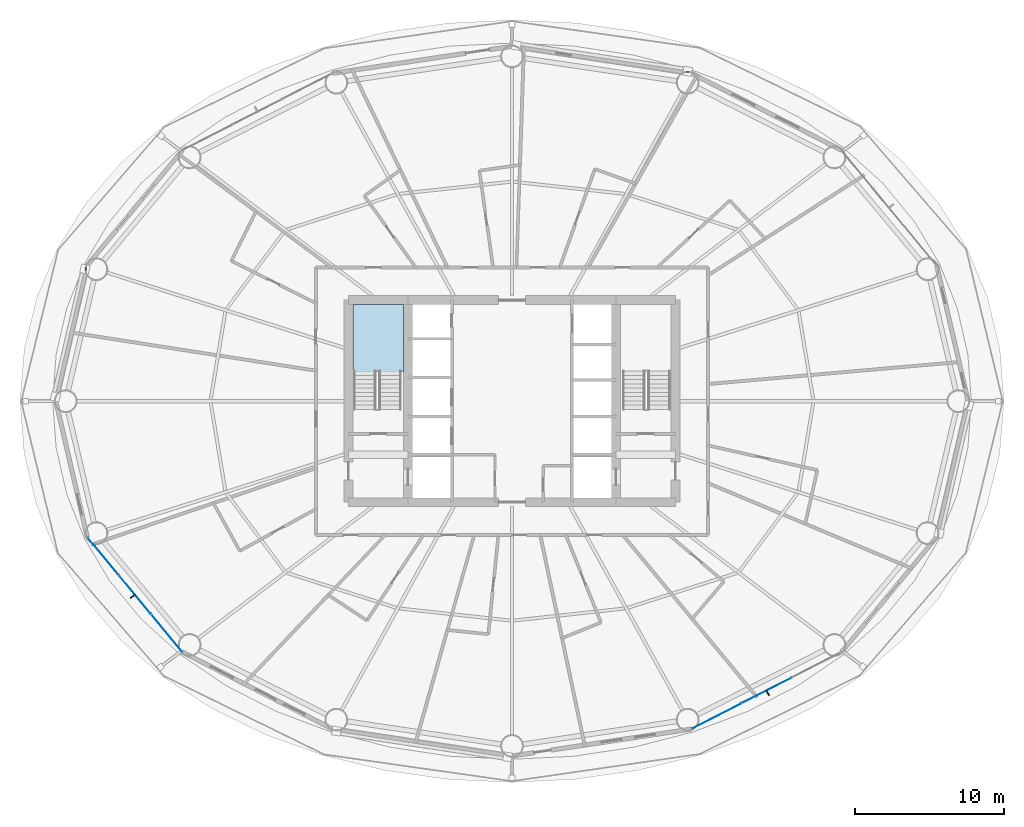
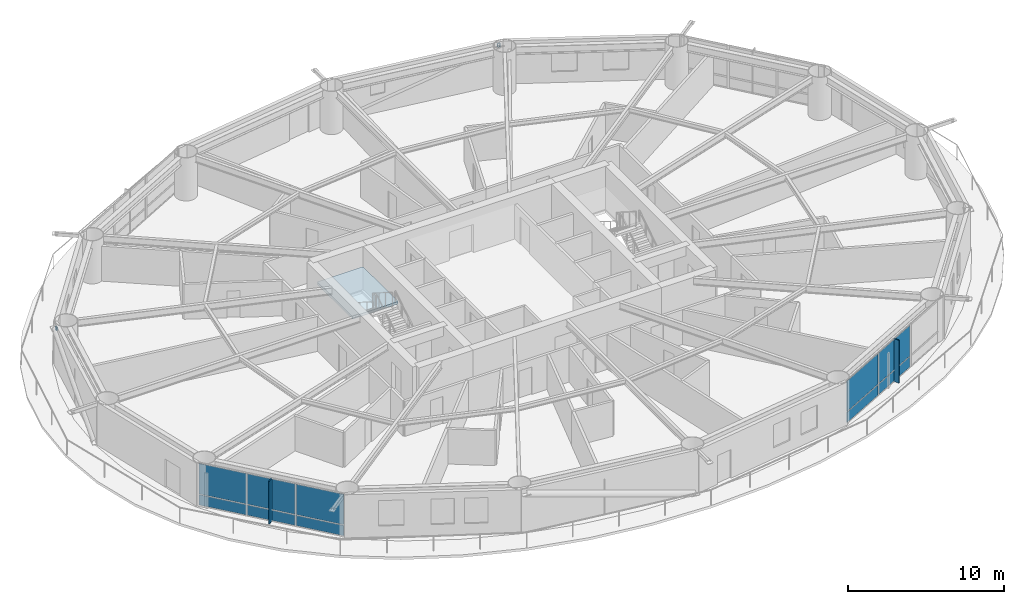
# One storey, part 16 of 26: 12 plates, 2 members, 1 slab, 3 elements without a shape of their own.
"""IFC4 building model written with IfcOpenShell, lengths in metres."""

import ifcopenshell
import ifcopenshell.guid

model = None  # the IFC model being written
_history = None  # IfcOwnerHistory: only IFC2X3 demands one
_inside = {}  # id of a spatial element -> (the spatial element, [elements in it])
_under = {}  # id of a project, library or spatial element -> (it, [spatial elements below it])
_declared = {}  # id of a project -> (the project, [libraries it declares])
_typed = {}  # id of a type object -> (the type object, [elements of that type])
_made_of = {}  # id of a material, layer set ... -> (it, [elements and type objects made of it])


def new_model(schema):
    """Start an empty IFC model of exactly this schema.

    Asked for "IFC4X3", IfcOpenShell would pick the latest addendum, in which some entities
    have other attributes; the version numbers below select the first issue.
    IFC2X3 requires an IfcOwnerHistory on every rooted entity: one is made here for all.
    """
    global model, _history
    if schema == "IFC4X3":
        model = ifcopenshell.file(schema_version=(4, 3, 0, 0))
    else:
        model = ifcopenshell.file(schema=schema)
    _inside.clear()
    _under.clear()
    _declared.clear()
    _typed.clear()
    _made_of.clear()
    _history = None
    if model.schema == "IFC2X3":
        org = make("IfcOrganization", Name="unknown")
        user = make(
            "IfcPersonAndOrganization",
            ThePerson=make("IfcPerson", FamilyName="unknown"),
            TheOrganization=org,
        )
        app = make(
            "IfcApplication",
            ApplicationDeveloper=org,
            Version="unknown",
            ApplicationFullName="unknown",
            ApplicationIdentifier="unknown",
        )
        _history = make(
            "IfcOwnerHistory",
            OwningUser=user,
            OwningApplication=app,
            ChangeAction="ADDED",
            CreationDate=0,
        )
    return model


def make(cls, **values):
    """One entity of the class cls with the attributes given. An attribute that is None is left unset."""
    return model.create_entity(
        cls, **{name: value for name, value in values.items() if value is not None}
    )


def rooted(cls, **values):
    """An entity with a GlobalId (a new one), such as an element, a storey or a relation."""
    return make(cls, GlobalId=ifcopenshell.guid.new(), OwnerHistory=_history, **values)


def si_unit(unit_type, name, prefix=None):
    """IfcSIUnit, for example si_unit("LENGTHUNIT", "METRE", prefix="MILLI")."""
    return make("IfcSIUnit", UnitType=unit_type, Prefix=prefix, Name=name)


def assignment(units):
    """IfcUnitAssignment: the units of a project."""
    return None if units is None else make("IfcUnitAssignment", Units=units)


def point(xyz):
    """IfcCartesianPoint."""
    return None if xyz is None else make("IfcCartesianPoint", Coordinates=xyz)


def direction(xyz):
    """IfcDirection."""
    return None if xyz is None else make("IfcDirection", DirectionRatios=xyz)


def frame(location, z_axis=None, x_axis=None):
    """IfcAxis2Placement3D, a coordinate frame: its origin and axes. An axis left out is left unset."""
    return make(
        "IfcAxis2Placement3D",
        Location=point(location),
        Axis=direction(z_axis),
        RefDirection=direction(x_axis),
    )


def frame_2d(location, x_axis=None):
    """IfcAxis2Placement2D, a coordinate frame in the plane: its origin and x axis."""
    return make(
        "IfcAxis2Placement2D", Location=point(location), RefDirection=direction(x_axis)
    )


def origin():
    """The frame at (0, 0, 0) with its axes left unset."""
    return frame((0.0, 0.0, 0.0))


def origin_2d():
    """The frame at (0, 0) in the plane with its x axis left unset."""
    return frame_2d((0.0, 0.0))


def place(relative_to, where):
    """IfcLocalPlacement: puts the frame where relative to a parent placement (None: the world)."""
    return make(
        "IfcLocalPlacement", PlacementRelTo=relative_to, RelativePlacement=where
    )


def context(
    kind, dimensions, precision=None, world=None, true_north=None, identifier=None
):
    """IfcGeometricRepresentationContext, for example the 3D "Model" context."""
    return make(
        "IfcGeometricRepresentationContext",
        ContextIdentifier=identifier,
        ContextType=kind,
        CoordinateSpaceDimension=dimensions,
        Precision=precision,
        WorldCoordinateSystem=world,
        TrueNorth=true_north,
    )


def subcontext(parent, identifier, kind, view, scale=None):
    """IfcGeometricRepresentationSubContext, for example "Body" below "Model"."""
    return make(
        "IfcGeometricRepresentationSubContext",
        ContextIdentifier=identifier,
        ContextType=kind,
        ParentContext=parent,
        TargetScale=scale,
        TargetView=view,
    )


def project(units=None, contexts=None):
    """IfcProject with its units and contexts."""
    return rooted(
        "IfcProject",
        Name="project",
        RepresentationContexts=contexts,
        UnitsInContext=assignment(units),
    )


def spatial(cls, under=None, at=None, **own):
    """A site, building, storey or space (cls), placed at a placement, below another one or the project."""
    s = rooted(cls, ObjectPlacement=at, **own)
    if under is not None:
        _under.setdefault(under.id(), (under, []))[1].append(s)
    return s


def polyline(points):
    """IfcPolyline through the points."""
    return make("IfcPolyline", Points=[point(p) for p in points])


def profile(cls, at=None, kind="AREA", **sizes):
    """A parametric profile (cls). Its sizes go by their IFC names, for example OverallWidth=200.0."""
    return make(cls, ProfileType=kind, Position=at, **sizes)


def rectangle(**sizes):
    """IfcRectangleProfileDef."""
    return profile("IfcRectangleProfileDef", **sizes)


def hollow_rectangle(**sizes):
    """IfcRectangleHollowProfileDef."""
    return profile("IfcRectangleHollowProfileDef", **sizes)


def outline(outer, holes=None, kind="AREA"):
    """IfcArbitraryClosedProfileDef: a profile drawn as a closed curve; with holes, ...WithVoids."""
    if holes is None:
        return make("IfcArbitraryClosedProfileDef", ProfileType=kind, OuterCurve=outer)
    return make(
        "IfcArbitraryProfileDefWithVoids",
        ProfileType=kind,
        OuterCurve=outer,
        InnerCurves=holes,
    )


def extrude(swept, where, along, depth):
    """IfcExtrudedAreaSolid: the profile swept, set in the frame where, extruded along a direction by depth."""
    return make(
        "IfcExtrudedAreaSolid",
        SweptArea=swept,
        Position=where,
        ExtrudedDirection=direction(along),
        Depth=depth,
    )


def shape(context_of_items, identifier, shape_type, items):
    """IfcShapeRepresentation: the items that make up one representation, for example the "Body"."""
    return make(
        "IfcShapeRepresentation",
        ContextOfItems=context_of_items,
        RepresentationIdentifier=identifier,
        RepresentationType=shape_type,
        Items=items,
    )


def material(Name=None, Category=None):
    """IfcMaterial."""
    return make("IfcMaterial", Name=Name, Category=Category)


def layer(
    of_material, thickness, ventilated=None, Name=None, Category=None, Priority=None
):
    """IfcMaterialLayer: one layer of a wall or slab, of a material (None: an air gap)."""
    return make(
        "IfcMaterialLayer",
        Material=of_material,
        LayerThickness=thickness,
        IsVentilated=ventilated,
        Name=Name,
        Category=Category,
        Priority=Priority,
    )


def layer_set(layers, Name=None):
    """IfcMaterialLayerSet."""
    return make("IfcMaterialLayerSet", MaterialLayers=layers, LayerSetName=Name)


def material_profile(
    of_material, cross_section, Name=None, Category=None, Priority=None
):
    """IfcMaterialProfile: a cross section and its material."""
    return make(
        "IfcMaterialProfile",
        Name=Name,
        Material=of_material,
        Profile=cross_section,
        Priority=Priority,
        Category=Category,
    )


def profile_set(profiles, Name=None, composite=None):
    """IfcMaterialProfileSet."""
    return make(
        "IfcMaterialProfileSet",
        Name=Name,
        MaterialProfiles=profiles,
        CompositeProfile=composite,
    )


def made_of(thing, what):
    """Note that an element or type object is made of a material, layer set ...; save() writes the relation."""
    if what is not None:
        _made_of.setdefault(what.id(), (what, []))[1].append(thing)
    return thing


def type_object(cls, material=None, **own):
    """A type object (cls), such as IfcWallType, which elements share."""
    return made_of(rooted(cls, **own), material)


def element(
    cls,
    number,
    at=None,
    inside=None,
    cuts=None,
    type_object=None,
    material=None,
    context=None,
    identifier="Body",
    shape_type=None,
    held_by="IfcProductDefinitionShape",
    body=None,
    shapes=None,
    **own,
):
    """One element of the class cls, such as IfcWall. Its Tag is "e" and its number.

    at: its placement. inside: the storey or other place that contains it. cuts: it is an
    opening in that element (IfcRelVoidsElement). A single representation is given by context,
    identifier, shape_type and body (its items); several are given by shapes. held_by: the class
    of the entity that holds the representations. save() writes the other relations.
    """
    e = rooted(cls, Tag="e%d" % number, ObjectPlacement=at, **own)
    if body is not None:
        shapes = [shape(context, identifier, shape_type, body)]
    if shapes is not None:
        e.Representation = make(held_by, Representations=shapes)
    if inside is not None:
        _inside.setdefault(inside.id(), (inside, []))[1].append(e)
    if cuts is not None:
        rooted(
            "IfcRelVoidsElement", RelatingBuildingElement=cuts, RelatedOpeningElement=e
        )
    if type_object is not None:
        _typed.setdefault(type_object.id(), (type_object, []))[1].append(e)
    return made_of(e, material)


def aggregate(whole, parts):
    """IfcRelAggregates: a whole, such as a stair, and the parts it consists of."""
    return rooted("IfcRelAggregates", RelatingObject=whole, RelatedObjects=parts)


def save(model, path):
    """Write the relations noted so far, then the file.

    IfcRelAggregates (storeys below a building ...), IfcRelContainedInSpatialStructure (elements
    in a storey), IfcRelDefinesByType, IfcRelAssociatesMaterial and IfcRelDeclares: one each for
    every whole, place, type object, material and project.
    """
    for whole, parts in _under.values():
        aggregate(whole, parts)
    for where, things in _inside.values():
        rooted(
            "IfcRelContainedInSpatialStructure",
            RelatedElements=things,
            RelatingStructure=where,
        )
    for kind, things in _typed.values():
        rooted("IfcRelDefinesByType", RelatedObjects=things, RelatingType=kind)
    for what, things in _made_of.values():
        rooted("IfcRelAssociatesMaterial", RelatedObjects=things, RelatingMaterial=what)
    for by, libraries in _declared.values():
        rooted("IfcRelDeclares", RelatingContext=by, RelatedDefinitions=libraries)
    model.write(path)


model = new_model("IFC4")

# Units and contexts
model_context = context("Model", 3, precision=1e-05, world=origin(), true_north=direction((0.0, 1.0)))
body_context = subcontext(model_context, "Body", "Model", "MODEL_VIEW")
ifc_project = project(units=[si_unit("LENGTHUNIT", "METRE"), si_unit("AREAUNIT", "SQUARE_METRE"), si_unit("VOLUMEUNIT", "CUBIC_METRE"), si_unit("PLANEANGLEUNIT", "RADIAN"), si_unit("MASSUNIT", "GRAM", prefix="KILO")], contexts=[model_context])

# Site, building, storey
site_placement = place(None, origin())
site = spatial("IfcSite", under=ifc_project, at=site_placement, CompositionType="ELEMENT")
building_placement = place(site_placement, origin())
building = spatial("IfcBuilding", under=site, at=building_placement, Name="Sarneth Arch Tower", CompositionType="ELEMENT")
storey_placement = place(building_placement, frame((0.0, 0.0, 35.39990234375)))
storey = spatial("IfcBuildingStorey", under=building, at=storey_placement, Name="L07", CompositionType="ELEMENT", Elevation=35.39990234375)

# Members
ifc_material_1 = material(Name="Steel S355", Category="steel")
ifc_material_profile = material_profile(ifc_material_1, hollow_rectangle(XDim=0.199951171875, YDim=0.300048828125, WallThickness=0.012451171875, InnerFilletRadius=0.018798828125, OuterFilletRadius=0.03125, at=origin_2d()), Name="RHS300x200x12.5")
ifc_profile_set = profile_set([ifc_material_profile], Name="Steel S355")
member_type = type_object("IfcMemberType", Name="MEM-CANT-STRUT", PredefinedType="STRUT", material=ifc_profile_set)
member_1_placement = place(storey_placement, frame((59.8193359375, 64.109130859375, 3.0068359375), z_axis=(0.002710017149, 0.999996327897, 0.0), x_axis=(-0.999996327897, 0.002710017149, 0.0)))
element("IfcMember", 1, at=member_1_placement, inside=storey, type_object=member_type, Name="L07 Exoskeleton brace node strut 04B", PredefinedType="STRUT", context=body_context, shape_type="SweptSolid", body=[
    extrude(hollow_rectangle(XDim=0.199951171875, YDim=0.300048828125, WallThickness=0.012451171875, InnerFilletRadius=0.018798828125, OuterFilletRadius=0.03125, at=origin_2d()), origin(), (0.0, 0.0, 1.0), 0.090087890625),
])
member_2_placement = place(storey_placement, frame((19.359619140625, 50.8837890625, 3.0068359375), z_axis=(-0.999972430314, 0.007425537849, 0.0), x_axis=(-0.007425537849, -0.999972430314, 0.0)))
element("IfcMember", 2, at=member_2_placement, inside=storey, type_object=member_type, Name="L07 Exoskeleton brace node strut 08B", PredefinedType="STRUT", context=body_context, shape_type="SweptSolid", body=[
    extrude(hollow_rectangle(XDim=0.199951171875, YDim=0.300048828125, WallThickness=0.012451171875, InnerFilletRadius=0.018798828125, OuterFilletRadius=0.03125, at=origin_2d()), origin(), (0.0, 0.0, 1.0), 0.0986328125),
])

# Curtain wall, plates
ifc_material_2 = material(Name="Anodised aluminium Type AA25 and solar-control low-e laminated IGU", Category="aluminium")
ifc_layer_1 = layer(ifc_material_2, 0.159912109375)
ifc_layer_set_1 = layer_set([ifc_layer_1], Name="Anodised aluminium Type AA25 and solar-control low-e laminated IGU")
curtain_wall_type = type_object("IfcCurtainWallType", Name="CW-HOTEL-LOW", PredefinedType="NOTDEFINED", material=ifc_layer_set_1)
curtain_wall_1_placement = place(storey_placement, origin())
curtain_wall_1 = element("IfcCurtainWall", 3, at=curtain_wall_1_placement, inside=storey, type_object=curtain_wall_type, Name="L07 Unitised curtain wall facet 10", PredefinedType="NOTDEFINED")
ifc_material_3 = material(Name="Solar-control low-e laminated IGU", Category="glass")
ifc_layer_2 = layer(ifc_material_3, 0.028076171875)
ifc_layer_set_2 = layer_set([ifc_layer_2], Name="Solar-control low-e laminated IGU")
plate_type_1 = type_object("IfcPlateType", Name="CW-PANEL", PredefinedType="CURTAIN_PANEL", material=ifc_layer_set_2)
plate_1_placement = place(storey_placement, frame((20.496337890625, 31.558837890625, 0.06005859375), z_axis=(0.0, 0.0, 1.0), x_axis=(0.637291340827, -0.770622960278, 0.0)))
plate_1 = element("IfcPlate", 4, at=plate_1_placement, type_object=plate_type_1, Name="Curtain wall glazed vision pane CW-L07-F10/P00-00", PredefinedType="CURTAIN_PANEL", context=body_context, shape_type="SweptSolid", body=[
    extrude(rectangle(XDim=3.260986328125, YDim=0.028076171875, at=origin_2d()), origin(), (0.0, 0.0, 1.0), 0.81005859375),
])
plate_2_placement = place(storey_placement, frame((20.496337890625, 31.558837890625, 0.93017578125), z_axis=(0.0, 0.0, 1.0), x_axis=(0.637291340827, -0.770622960278, 0.0)))
plate_2 = element("IfcPlate", 5, at=plate_2_placement, type_object=plate_type_1, Name="Curtain wall glazed vision pane CW-L07-F10/P00-01", PredefinedType="CURTAIN_PANEL", context=body_context, shape_type="SweptSolid", body=[
    extrude(rectangle(XDim=3.260986328125, YDim=0.028076171875, at=origin_2d()), origin(), (0.0, 0.0, 1.0), 2.389892578125),
])
plate_3_placement = place(storey_placement, frame((22.62255859375, 28.98779296875, 0.06005859375), z_axis=(0.0, 0.0, 1.0), x_axis=(0.637291340827, -0.770622960278, 0.0)))
plate_3 = element("IfcPlate", 6, at=plate_3_placement, type_object=plate_type_1, Name="Curtain wall glazed vision pane CW-L07-F10/P01-00", PredefinedType="CURTAIN_PANEL", context=body_context, shape_type="SweptSolid", body=[
    extrude(rectangle(XDim=3.291015625, YDim=0.028076171875, at=origin_2d()), origin(), (0.0, 0.0, 1.0), 0.81005859375),
])
plate_4_placement = place(storey_placement, frame((22.62255859375, 28.98779296875, 0.93017578125), z_axis=(0.0, 0.0, 1.0), x_axis=(0.637291340827, -0.770622960278, 0.0)))
plate_4 = element("IfcPlate", 7, at=plate_4_placement, type_object=plate_type_1, Name="Curtain wall glazed vision pane CW-L07-F10/P01-01", PredefinedType="CURTAIN_PANEL", context=body_context, shape_type="SweptSolid", body=[
    extrude(rectangle(XDim=3.291015625, YDim=0.028076171875, at=origin_2d()), origin(), (0.0, 0.0, 1.0), 2.389892578125),
])
plate_5_placement = place(storey_placement, frame((24.74853515625, 26.4169921875, 0.06005859375), z_axis=(0.0, 0.0, 1.0), x_axis=(0.637291340827, -0.770622960278, 0.0)))
plate_5 = element("IfcPlate", 8, at=plate_5_placement, type_object=plate_type_1, Name="Curtain wall glazed vision pane CW-L07-F10/P02-00", PredefinedType="CURTAIN_PANEL", context=body_context, shape_type="SweptSolid", body=[
    extrude(rectangle(XDim=3.260986328125, YDim=0.028076171875, at=origin_2d()), origin(), (0.0, 0.0, 1.0), 0.81005859375),
])
plate_6_placement = place(storey_placement, frame((24.74853515625, 26.4169921875, 0.93017578125), z_axis=(0.0, 0.0, 1.0), x_axis=(0.637291340827, -0.770622960278, 0.0)))
plate_6 = element("IfcPlate", 9, at=plate_6_placement, type_object=plate_type_1, Name="Curtain wall glazed vision pane CW-L07-F10/P02-01", PredefinedType="CURTAIN_PANEL", context=body_context, shape_type="SweptSolid", body=[
    extrude(rectangle(XDim=3.260986328125, YDim=0.028076171875, at=origin_2d()), origin(), (0.0, 0.0, 1.0), 2.389892578125),
])
aggregate(curtain_wall_1, [plate_1, plate_2, plate_3, plate_4, plate_5, plate_6])

curtain_wall_2_placement = place(storey_placement, origin())
curtain_wall_2 = element("IfcCurtainWall", 10, at=curtain_wall_2_placement, inside=storey, type_object=curtain_wall_type, Name="L07 Unitised curtain wall facet 14", PredefinedType="NOTDEFINED")
plate_7_placement = place(storey_placement, frame((61.77392578125, 20.807373046875, 0.06005859375), z_axis=(0.0, 0.0, 1.0), x_axis=(0.889854100456, 0.456245197127, 0.0)))
plate_7 = element("IfcPlate", 11, at=plate_7_placement, type_object=plate_type_1, Name="Curtain wall glazed vision pane CW-L07-F14/P00-00", PredefinedType="CURTAIN_PANEL", context=body_context, shape_type="SweptSolid", body=[
    extrude(rectangle(XDim=3.69189453125, YDim=0.028076171875, at=origin_2d()), origin(), (0.0, 0.0, 1.0), 0.81005859375),
])
plate_8_placement = place(storey_placement, frame((61.77392578125, 20.807373046875, 0.93017578125), z_axis=(0.0, 0.0, 1.0), x_axis=(0.889854100456, 0.456245197127, 0.0)))
plate_8 = element("IfcPlate", 12, at=plate_8_placement, type_object=plate_type_1, Name="Curtain wall glazed vision pane CW-L07-F14/P00-01", PredefinedType="CURTAIN_PANEL", context=body_context, shape_type="SweptSolid", body=[
    extrude(rectangle(XDim=3.69189453125, YDim=0.028076171875, at=origin_2d()), origin(), (0.0, 0.0, 1.0), 2.389892578125),
])
plate_9_placement = place(storey_placement, frame((65.1259765625, 22.526123046875, 0.06005859375), z_axis=(0.0, 0.0, 1.0), x_axis=(0.889854100456, 0.456245197127, 0.0)))
plate_9 = element("IfcPlate", 13, at=plate_9_placement, type_object=plate_type_1, Name="Curtain wall glazed vision pane CW-L07-F14/P01-00", PredefinedType="CURTAIN_PANEL", context=body_context, shape_type="SweptSolid", body=[
    extrude(rectangle(XDim=3.721923828125, YDim=0.028076171875, at=origin_2d()), origin(), (0.0, 0.0, 1.0), 0.81005859375),
])
plate_10_placement = place(storey_placement, frame((65.1259765625, 22.526123046875, 0.93017578125), z_axis=(0.0, 0.0, 1.0), x_axis=(0.889854100456, 0.456245197127, 0.0)))
plate_10 = element("IfcPlate", 14, at=plate_10_placement, type_object=plate_type_1, Name="Curtain wall glazed vision pane CW-L07-F14/P01-01", PredefinedType="CURTAIN_PANEL", context=body_context, shape_type="SweptSolid", body=[
    extrude(rectangle(XDim=3.721923828125, YDim=0.028076171875, at=origin_2d()), origin(), (0.0, 0.0, 1.0), 2.389892578125),
])
aggregate(curtain_wall_2, [plate_7, plate_8, plate_9, plate_10])

# Plates
ifc_material_4 = material(Name="Extruded glazed terracotta baguette fin on Aluminium 6063-T6 carrier", Category="masonry")
ifc_layer_3 = layer(ifc_material_4, 0.080078125)
ifc_layer_set_3 = layer_set([ifc_layer_3], Name="Extruded glazed terracotta baguette fin on Aluminium 6063-T6 carrier")
plate_type_2 = type_object("IfcPlateType", Name="SHADE-TERRA-FIN", PredefinedType="SHEET", material=ifc_layer_set_3)
for number, where, z_axis, x_axis, name in (
    (15, (22.491455078125, 28.879638671875, 0.01025390625), (0.0, 0.0, 1.0), (-0.770624482513, -0.637289500111, 0.0), "L07 Terracotta vertical shading fin 10"),
    (16, (65.20361328125, 22.374755859375, 0.01025390625), (0.0, 0.0, 1.0), (0.4563215909, -0.889814927768, 0.0), "L07 Terracotta vertical shading fin 14"),
):
    element("IfcPlate", number, at=place(storey_placement, frame(where, z_axis=z_axis, x_axis=x_axis)), inside=storey, type_object=plate_type_2, Name=name, PredefinedType="SHEET", context=body_context, shape_type="SweptSolid", body=[
        extrude(rectangle(XDim=0.419921875, YDim=0.080078125, at=origin_2d()), origin(), (0.0, 0.0, 1.0), 3.360107421875),
    ])

# Stair, slab
ifc_material_5 = material(Name="Concrete C50/60", Category="concrete")
stair_type = type_object("IfcStairType", Name="STAIR-CORE-RC", PredefinedType="HALF_TURN_STAIR", material=ifc_material_5)
stair_placement = place(storey_placement, origin())
stair = element("IfcStair", 17, at=stair_placement, inside=storey, type_object=stair_type, Name="L07 Core Exit Stair 1", PredefinedType="HALF_TURN_STAIR")
ifc_material_6 = material(Name="Concrete C50/60", Category="concrete")
ifc_layer_4 = layer(ifc_material_6, 0.199951171875)
ifc_layer_set_4 = layer_set([ifc_layer_4], Name="Concrete C50/60")
slab_type = type_object("IfcSlabType", Name="SLAB-LANDING-200", PredefinedType="LANDING", material=ifc_layer_set_4)
slab_placement = place(storey_placement, frame((0.0, 0.0, 1.60009765625)))
slab = element("IfcSlab", 18, at=slab_placement, type_object=slab_type, Name="ST-1 landing 1", PredefinedType="LANDING", context=body_context, shape_type="SweptSolid", body=[
    extrude(outline(polyline([(37.300048828125, 43.985107421875), (40.699951171875, 43.985107421875), (40.699951171875, 48.5), (37.300048828125, 48.5), (37.300048828125, 43.985107421875)])), origin(), (0.0, 0.0, 1.0), 0.199951171875),
])
aggregate(stair, [slab])

save(model, "model.ifc")
